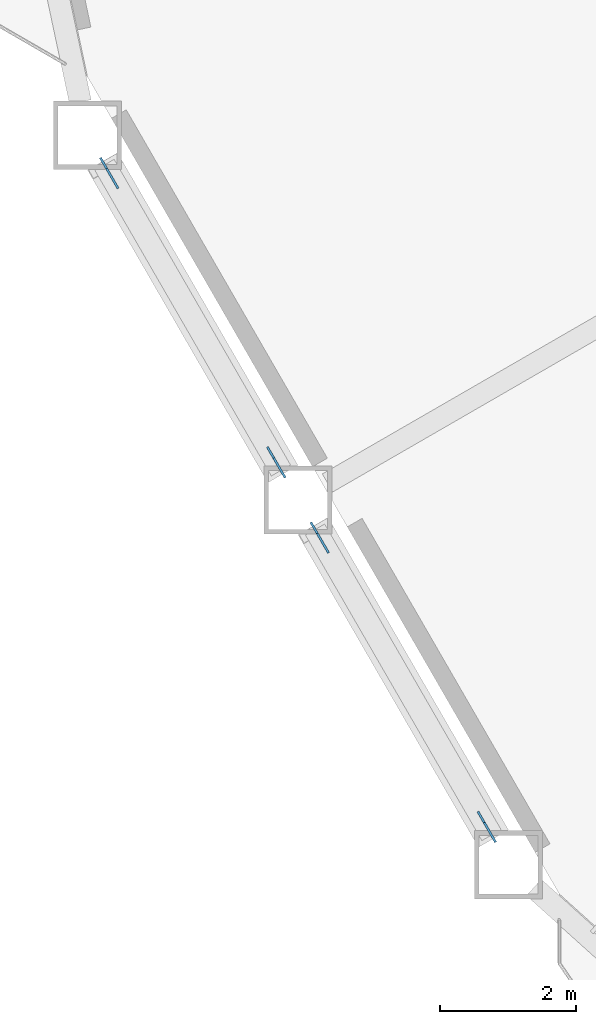
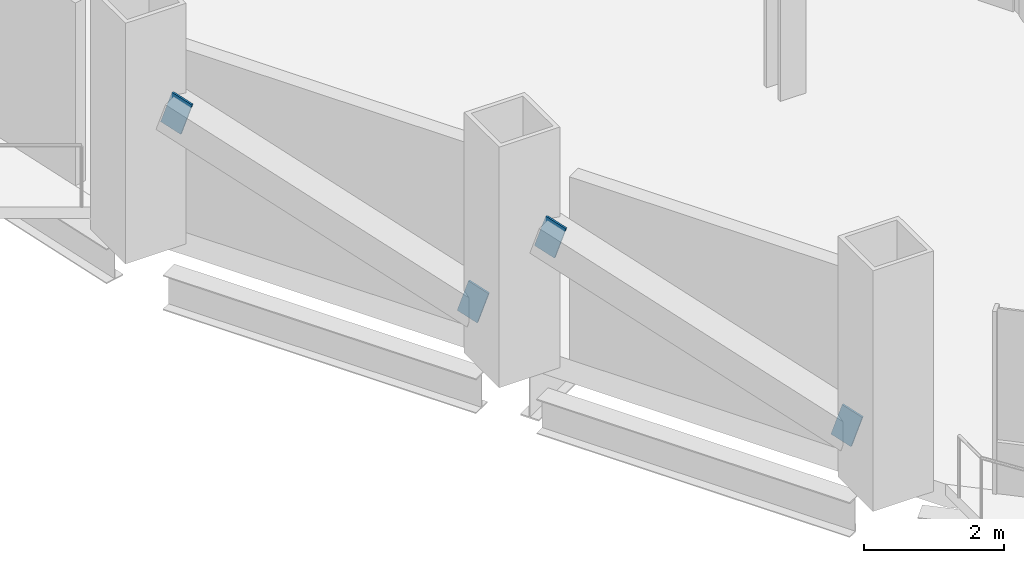
# One storey, part 13 of 20: 4 discrete accessories.
"""IFC4 building model written with IfcOpenShell, lengths in metres."""

from ifc_helpers import new_model, si_unit, direction, frame, origin, origin_2d, place, context, subcontext, project, spatial, rectangle, extrude, material, material_profile, profile_set, type_object, element, save


model = new_model("IFC4")

# Units and contexts
model_context = context("Model", 3, precision=1e-05, world=origin(), true_north=direction((0.0, 1.0)))
body_context = subcontext(model_context, "Body", "Model", "MODEL_VIEW")
ifc_project = project(units=[si_unit("LENGTHUNIT", "METRE"), si_unit("AREAUNIT", "SQUARE_METRE"), si_unit("VOLUMEUNIT", "CUBIC_METRE"), si_unit("PLANEANGLEUNIT", "RADIAN"), si_unit("MASSUNIT", "GRAM", prefix="KILO")], contexts=[model_context])

# Site, building, storey
site_placement = place(None, origin())
site = spatial("IfcSite", under=ifc_project, at=site_placement, CompositionType="ELEMENT")
building_placement = place(site_placement, origin())
building = spatial("IfcBuilding", under=site, at=building_placement, Name="Cormorant Prow Tower", CompositionType="ELEMENT")
storey_placement = place(building_placement, frame((0.0, 0.0, 38.39990234375)))
storey = spatial("IfcBuildingStorey", under=building, at=storey_placement, Name="L07", CompositionType="ELEMENT", Elevation=38.39990234375)

# Discrete accessories
ifc_material = material(Name="Structural steel ASTM A500 Gr C", Category="steel")
ifc_material_profile = material_profile(ifc_material, rectangle(XDim=0.031982421875, YDim=0.60791015625, at=origin_2d()), Name="Gusset plate 32x608")
ifc_profile_set = profile_set([ifc_material_profile], Name="Structural steel ASTM A500 Gr C")
discrete_accessory_type = type_object("IfcDiscreteAccessoryType", Name="Gusset plate 32x608", PredefinedType="BRACKET", material=ifc_profile_set)
discrete_accessory_1_placement = place(storey_placement, frame((-28.3173828125, -15.42041015625, 0.859375), z_axis=(0.476464602218, -0.823872174553, -0.306946449452), x_axis=(0.865660382551, 0.500631703033, 0.0)))
element("IfcDiscreteAccessory", 1, at=discrete_accessory_1_placement, inside=storey, type_object=discrete_accessory_type, Name="Gusset plate GP1 L07.WSW00.g0", PredefinedType="BRACKET", context=body_context, shape_type="SweptSolid", body=[
    extrude(rectangle(XDim=0.031982421875, YDim=0.60791015625, at=origin_2d()), origin(), (0.0, 0.0, 1.0), 0.349853515625),
])
for number, where, z_axis, x_axis, name in (
    (2, (-30.597900390625, -11.47021484375, 2.329833984375), (-0.475753220995, 0.824545905009, 0.306239976564), (-0.866161185697, -0.499764745047, 0.0), "Gusset plate GP1 L07.WSW00.g1"),
    (3, (-25.232421875, -20.763427734375, 0.859375), (0.475651503409, -0.824369614413, -0.306871937683), (0.866161185697, 0.499764745047, 0.0), "Gusset plate GP1 L07.WSW01.g0"),
):
    element("IfcDiscreteAccessory", number, at=place(storey_placement, frame(where, z_axis=z_axis, x_axis=x_axis)), inside=storey, type_object=discrete_accessory_type, Name=name, PredefinedType="BRACKET", context=body_context, shape_type="SweptSolid", body=[
        extrude(rectangle(XDim=0.031982421875, YDim=0.60791015625, at=origin_2d()), origin(), (0.0, 0.0, 1.0), 0.35009765625),
    ])
discrete_accessory_2_placement = place(storey_placement, frame((-27.512939453125, -16.813232421875, 2.329833984375), z_axis=(-0.476566543187, 0.824048444368, 0.306314366704), x_axis=(-0.865660382551, -0.500631703033, 0.0)))
element("IfcDiscreteAccessory", 4, at=discrete_accessory_2_placement, inside=storey, type_object=discrete_accessory_type, Name="Gusset plate GP1 L07.WSW01.g1", PredefinedType="BRACKET", context=body_context, shape_type="SweptSolid", body=[
    extrude(rectangle(XDim=0.031982421875, YDim=0.60791015625, at=origin_2d()), origin(), (0.0, 0.0, 1.0), 0.349853515625),
])

save(model, "model.ifc")
